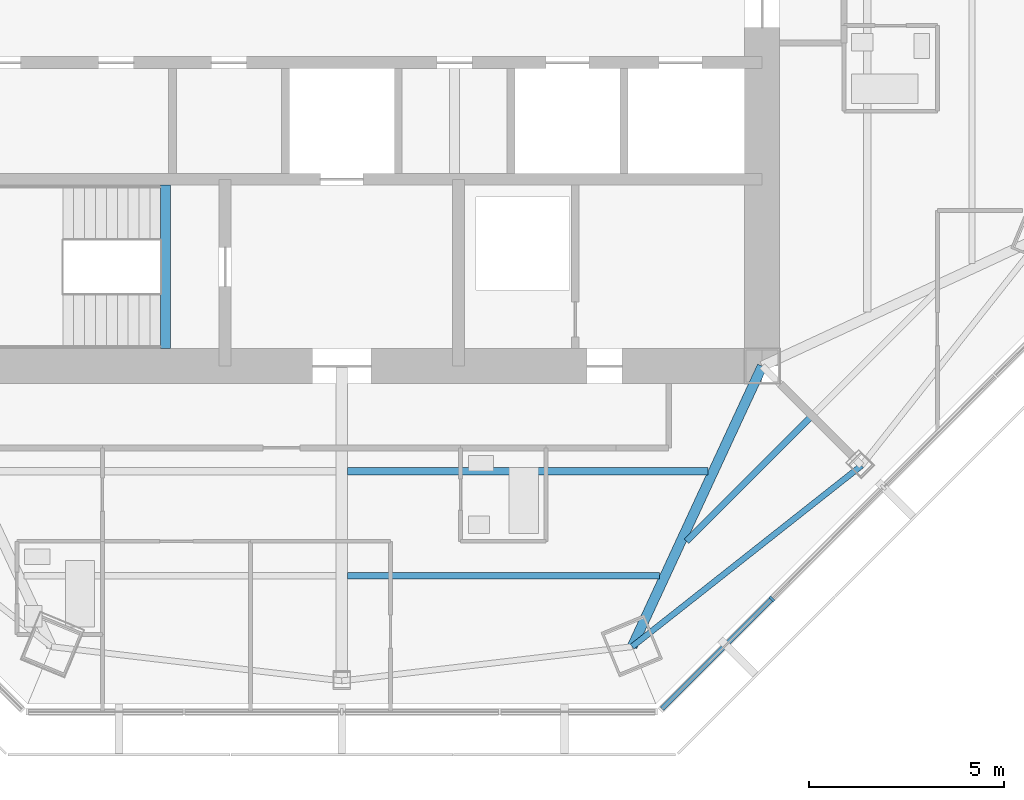
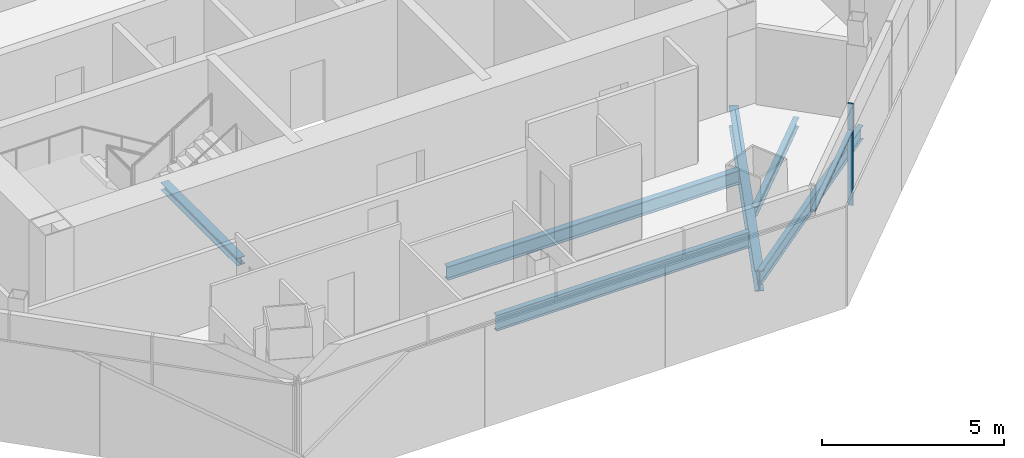
# One storey, part 3 of 15: 6 beams, 2 members, 1 element without a shape of its own.
"""IFC4 building model written with IfcOpenShell, lengths in metres."""

from ifc_helpers import new_model, si_unit, direction, frame, origin, origin_2d, place, context, subcontext, project, spatial, rectangle, i_section, extrude, source, transform, mapped, material, material_profile, profile_set, type_object, type_shapes, element, aggregate, save


model = new_model("IFC4")

# Units and contexts
model_context = context("Model", 3, precision=1e-05, world=origin(), true_north=direction((0.0, 1.0)))
body_context = subcontext(model_context, "Body", "Model", "MODEL_VIEW")
ifc_project = project(units=[si_unit("LENGTHUNIT", "METRE"), si_unit("AREAUNIT", "SQUARE_METRE"), si_unit("VOLUMEUNIT", "CUBIC_METRE"), si_unit("PLANEANGLEUNIT", "RADIAN"), si_unit("MASSUNIT", "GRAM", prefix="KILO")], contexts=[model_context])

# Site, building, storey
site_placement = place(None, origin())
site = spatial("IfcSite", under=ifc_project, at=site_placement, CompositionType="ELEMENT")
building_placement = place(site_placement, origin())
building = spatial("IfcBuilding", under=site, at=building_placement, Name="Mashrafa Tower", CompositionType="ELEMENT")
storey_placement = place(building_placement, frame((0.0, 0.0, 294.60009765625)))
storey = spatial("IfcBuildingStorey", under=building, at=storey_placement, Name="L72", CompositionType="ELEMENT", Elevation=294.60009765625)

# Beams
ifc_material_1 = material(Name="Steel ASTM A992", Category="steel")
ifc_material_profile_1 = material_profile(ifc_material_1, i_section(OverallWidth=0.164794921875, OverallDepth=0.309814453125, WebThickness=0.005859375, FlangeThickness=0.009765625, FilletRadius=0.007568359375, at=origin_2d()), Name="W12X26")
ifc_profile_set_1 = profile_set([ifc_material_profile_1], Name="Steel ASTM A992")
beam_type_1 = type_object("IfcBeamType", Name="Beam W12X26", PredefinedType="BEAM", material=ifc_profile_set_1)
beam_1_placement = place(storey_placement, frame((12.014404296875, -12.140380859375, -0.35498046875), z_axis=(-0.707106781187, -0.707106781187, 0.0), x_axis=(0.707106781187, -0.707106781187, 0.0)))
element("IfcBeam", 1, at=beam_1_placement, inside=storey, type_object=beam_type_1, Name="Floor beam L72 018", PredefinedType="BEAM", context=body_context, shape_type="SweptSolid", body=[
    extrude(i_section(OverallWidth=0.164794921875, OverallDepth=0.309814453125, WebThickness=0.005859375, FlangeThickness=0.009765625, FilletRadius=0.007568359375, at=origin_2d()), origin(), (0.0, 0.0, 1.0), 4.465576171875),
])
ifc_material_2 = material(Name="Steel ASTM A992", Category="steel")
ifc_material_profile_2 = material_profile(ifc_material_2, i_section(OverallWidth=0.15234375, OverallDepth=0.449462890625, WebThickness=0.007568359375, FlangeThickness=0.0107421875, FilletRadius=0.01025390625, at=origin_2d()), Name="W18X35")
ifc_profile_set_2 = profile_set([ifc_material_profile_2], Name="Steel ASTM A992")
beam_type_2 = type_object("IfcBeamType", Name="Beam W18X35", PredefinedType="BEAM", material=ifc_profile_set_2)
beam_2_placement = place(storey_placement, frame((7.459228515625, -18.00830078125, -0.4248046875), z_axis=(0.784933517474, 0.619579997374, 0.0), x_axis=(-0.619579997374, 0.784933517474, 0.0)))
element("IfcBeam", 2, at=beam_2_placement, inside=storey, type_object=beam_type_2, Name="Spandrel beam L72 050", PredefinedType="BEAM", context=body_context, shape_type="SweptSolid", body=[
    extrude(i_section(OverallWidth=0.15234375, OverallDepth=0.449462890625, WebThickness=0.007568359375, FlangeThickness=0.0107421875, FilletRadius=0.01025390625, at=origin_2d()), origin(), (0.0, 0.0, 1.0), 7.5107421875),
])
ifc_material_3 = material(Name="Steel ASTM A992", Category="steel")
ifc_material_profile_3 = material_profile(ifc_material_3, i_section(OverallWidth=0.191162109375, OverallDepth=0.459716796875, WebThickness=0.010009765625, FlangeThickness=0.01611328125, FilletRadius=0.01025390625, at=origin_2d()), Name="W18X55")
ifc_profile_set_3 = profile_set([ifc_material_profile_3], Name="Steel ASTM A992")
beam_type_3 = type_object("IfcBeamType", Name="Beam W18X55", PredefinedType="BEAM", material=ifc_profile_set_3)
beam_3_placement = place(storey_placement, frame((9.409423828125, -13.49560546875, -0.429931640625), z_axis=(-1.0, 0.0, 0.0), x_axis=(0.0, -1.0, 0.0)))
element("IfcBeam", 3, at=beam_3_placement, inside=storey, type_object=beam_type_3, Name="Floor beam L72 017", PredefinedType="BEAM", context=body_context, shape_type="SweptSolid", body=[
    extrude(i_section(OverallWidth=0.191162109375, OverallDepth=0.459716796875, WebThickness=0.010009765625, FlangeThickness=0.01611328125, FilletRadius=0.01025390625, at=origin_2d()), origin(), (0.0, 0.0, 1.0), 9.263427734375),
])
ifc_material_4 = material(Name="Steel ASTM A992", Category="steel")
ifc_material_profile_4 = material_profile(ifc_material_4, i_section(OverallWidth=0.165771484375, OverallDepth=0.5283203125, WebThickness=0.009765625, FlangeThickness=0.013671875, FilletRadius=0.012939453125, at=origin_2d()), Name="W21X50")
ifc_profile_set_4 = profile_set([ifc_material_profile_4], Name="Steel ASTM A992")
beam_type_4 = type_object("IfcBeamType", Name="Beam W21X50", PredefinedType="BEAM", material=ifc_profile_set_4)
beam_4_placement = place(storey_placement, frame((8.16015625, -16.191162109375, -0.46435546875), z_axis=(-1.0, 0.0, 0.0), x_axis=(0.0, -1.0, 0.0)))
element("IfcBeam", 4, at=beam_4_placement, inside=storey, type_object=beam_type_4, Name="Floor beam L72 015", PredefinedType="BEAM", context=body_context, shape_type="SweptSolid", body=[
    extrude(i_section(OverallWidth=0.165771484375, OverallDepth=0.5283203125, WebThickness=0.009765625, FlangeThickness=0.013671875, FilletRadius=0.012939453125, at=origin_2d()), origin(), (0.0, 0.0, 1.0), 8.01416015625),
])
ifc_material_5 = material(Name="Steel ASTM A992", Category="steel")
ifc_material_profile_5 = material_profile(ifc_material_5, i_section(OverallWidth=0.256591796875, OverallDepth=0.693359375, WebThickness=0.014404296875, FlangeThickness=0.023681640625, FilletRadius=0.01513671875, at=origin_2d()), Name="W27X114")
ifc_profile_set_5 = profile_set([ifc_material_profile_5], Name="Steel ASTM A992")
beam_type_5 = type_object("IfcBeamType", Name="Beam W27X114", PredefinedType="BEAM", material=ifc_profile_set_5)
beam_5_placement = place(storey_placement, frame((10.800048828125, -10.800048828125, -0.546875), z_axis=(-0.420503585281, -0.907290876602, 0.0), x_axis=(0.907290876602, -0.420503585281, 0.0)))
element("IfcBeam", 5, at=beam_5_placement, inside=storey, type_object=beam_type_5, Name="Radial girder L72 034", PredefinedType="BEAM", context=body_context, shape_type="SweptSolid", body=[
    extrude(i_section(OverallWidth=0.256591796875, OverallDepth=0.693359375, WebThickness=0.014404296875, FlangeThickness=0.023681640625, FilletRadius=0.01513671875, at=origin_2d()), origin(), (0.0, 0.0, 1.0), 7.94482421875),
])
ifc_material_6 = material(Name="Steel ASTM A992", Category="steel")
ifc_material_profile_6 = material_profile(ifc_material_6, i_section(OverallWidth=0.25390625, OverallDepth=0.25390625, WebThickness=0.008544921875, FlangeThickness=0.01416015625, FilletRadius=0.010009765625, at=origin_2d()), Name="W10X49")
ifc_profile_set_6 = profile_set([ifc_material_profile_6], Name="Steel ASTM A992")
beam_type_6 = type_object("IfcBeamType", Name="Hoistway beam W10X49", PredefinedType="BEAM", material=ifc_profile_set_6)
beam_6_placement = place(storey_placement, frame((-4.530029296875, -10.35009765625, -0.3271484375), z_axis=(0.0, 1.0, 0.0), x_axis=(-1.0, 0.0, 0.0)))
element("IfcBeam", 6, at=beam_6_placement, inside=storey, type_object=beam_type_6, Name="Stair S3 landing beam L72", PredefinedType="BEAM", context=body_context, shape_type="SweptSolid", body=[
    extrude(i_section(OverallWidth=0.25390625, OverallDepth=0.25390625, WebThickness=0.008544921875, FlangeThickness=0.01416015625, FilletRadius=0.010009765625, at=origin_2d()), origin(), (0.0, 0.0, 1.0), 4.2001953125),
])

# Curtain wall, members
ifc_material_7 = material(Name="Unitised aluminium curtain wall", Category="aluminium")
curtain_wall_type = type_object("IfcCurtainWallType", Name="Apartment curtain wall, zone 4 CW-D 160 deep", PredefinedType="NOTDEFINED", material=ifc_material_7)
curtain_wall_placement = place(storey_placement, origin())
curtain_wall = element("IfcCurtainWall", 7, at=curtain_wall_placement, inside=storey, type_object=curtain_wall_type, Name="Apartment curtain wall, zone 4 L72 south-east", PredefinedType="NOTDEFINED")
ifc_material_8 = material(Name="Extruded aluminium mullion", Category="aluminium")
ifc_material_profile_7 = material_profile(ifc_material_8, rectangle(XDim=0.159912109375, YDim=0.06005859375, at=origin_2d()), Name="Mullion 60x160")
ifc_profile_set_7 = profile_set([ifc_material_profile_7], Name="Extruded aluminium mullion")
member_type_1 = type_object("IfcMemberType", Name="Mullion CW-D 60 x 160", PredefinedType="MULLION", material=ifc_profile_set_7)
shared_shape_1 = source(origin(), body_context, "Body", "SweptSolid", [
    extrude(rectangle(XDim=0.159912109375, YDim=0.06005859375, at=origin_2d()), origin(), (0.0, 0.0, 1.0), 3.39990234375),
])
type_shapes(member_type_1, [shared_shape_1])
member_1_placement = place(storey_placement, frame((11.049560546875, -16.783447265625, 0.0), z_axis=(0.0, 0.0, 1.0), x_axis=(-0.707106781187, 0.707106781187, 0.0)))
member_1 = element("IfcMember", 8, at=member_1_placement, type_object=member_type_1, Name="CW-D mullion 2", PredefinedType="MULLION", context=body_context, shape_type="MappedRepresentation", body=[
    mapped(shared_shape_1, transform((0.0, 0.0, 0.0))),
])
ifc_material_9 = material(Name="Extruded aluminium transom", Category="aluminium")
ifc_material_profile_8 = material_profile(ifc_material_9, rectangle(XDim=0.1279296875, YDim=0.074951171875, at=origin_2d()), Name="Transom 75x128")
ifc_profile_set_8 = profile_set([ifc_material_profile_8], Name="Extruded aluminium transom")
member_type_2 = type_object("IfcMemberType", Name="Transom CW-D 75 x 128", PredefinedType="MULLION", material=ifc_profile_set_8)
shared_shape_2 = source(origin(), body_context, "Body", "SweptSolid", [
    extrude(rectangle(XDim=0.1279296875, YDim=0.074951171875, at=origin_2d()), origin(), (0.0, 0.0, 1.0), 3.96435546875),
])
type_shapes(member_type_2, [shared_shape_2])
member_2_placement = place(storey_placement, frame((8.22509765625, -19.60791015625, 2.5), z_axis=(0.707106781187, 0.707106781187, 0.0), x_axis=(-0.707106781187, 0.707106781187, 0.0)))
member_2 = element("IfcMember", 9, at=member_2_placement, type_object=member_type_2, Name="CW-D transom 1", PredefinedType="MULLION", context=body_context, shape_type="MappedRepresentation", body=[
    mapped(shared_shape_2, transform((0.0, 0.0, 0.0))),
])
aggregate(curtain_wall, [member_1, member_2])

save(model, "model.ifc")
